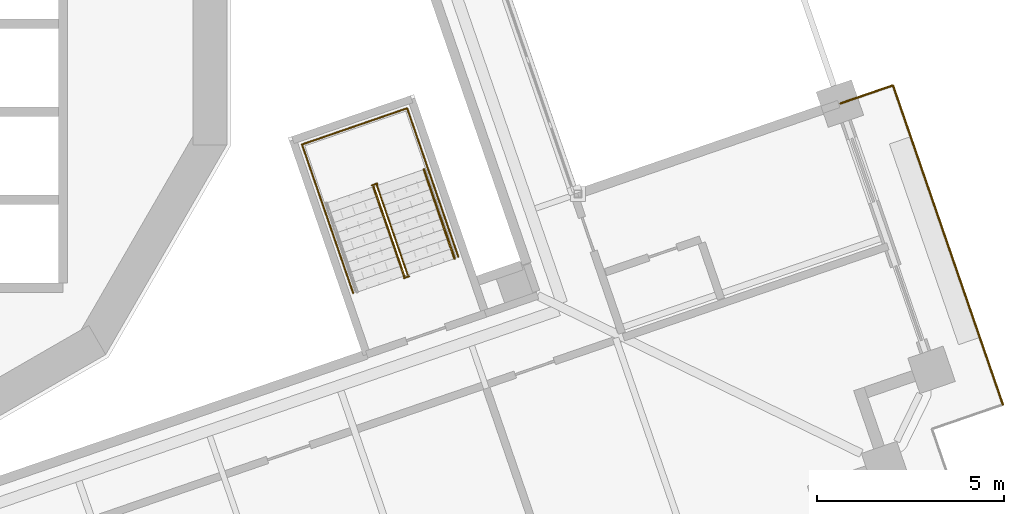
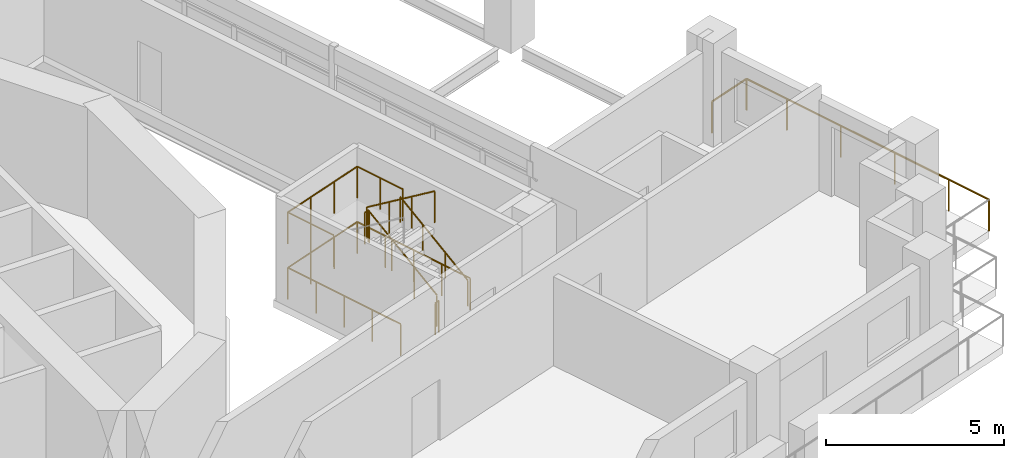
# One storey, part 19 of 22: 7 railings.
"""IFC4 building model written with IfcOpenShell, lengths in metres."""

from ifc_helpers import new_model, si_unit, direction, frame, origin, origin_2d, place, context, subcontext, project, spatial, circle, extrude, material, type_object, element, save


model = new_model("IFC4")

# Units and contexts
model_context = context("Model", 3, precision=1e-05, world=origin(), true_north=direction((0.0, 1.0)))
body_context = subcontext(model_context, "Body", "Model", "MODEL_VIEW")
ifc_project = project(units=[si_unit("LENGTHUNIT", "METRE"), si_unit("AREAUNIT", "SQUARE_METRE"), si_unit("VOLUMEUNIT", "CUBIC_METRE"), si_unit("PLANEANGLEUNIT", "RADIAN"), si_unit("MASSUNIT", "GRAM", prefix="KILO")], contexts=[model_context])

# Site, building, storey
site_placement = place(None, origin())
site = spatial("IfcSite", under=ifc_project, at=site_placement, CompositionType="ELEMENT")
building_placement = place(site_placement, origin())
building = spatial("IfcBuilding", under=site, at=building_placement, Name="Cantera Rosa Tower", CompositionType="ELEMENT")
storey_placement = place(building_placement, frame((0.0, 0.0, 115.5)))
storey = spatial("IfcBuildingStorey", under=building, at=storey_placement, Name="L23", CompositionType="ELEMENT", Elevation=115.5)

# Railings
ifc_material_1 = material(Name="Stainless steel and laminated glass", Category="steel")
railing_type_1 = type_object("IfcRailingType", Name="GUARD 1100", PredefinedType="BALUSTRADE", material=ifc_material_1)
railing_1_placement = place(storey_placement, frame((28.4638671875, -2.129150390625, 0.0)))
element("IfcRailing", 1, at=railing_1_placement, inside=storey, type_object=railing_type_1, Name="GUARD L23-10", PredefinedType="BALUSTRADE", context=body_context, shape_type="SweptSolid", body=[
    extrude(circle(Radius=0.030029296875, at=origin_2d()), frame((0.0, 0.0, 1.070068359375), z_axis=(0.945502624307, 0.325614476689, 0.0), x_axis=(-0.325614476689, 0.945502624307, 0.0)), (0.0, 0.0, 1.0), 1.47998046875),
    extrude(circle(Radius=0.030029296875, at=origin_2d()), frame((1.3994140625, 0.48193359375, 1.070068359375), z_axis=(0.325539181077, -0.945528551438, 0.0), x_axis=(0.945528551438, 0.325539181077, 0.0)), (0.0, 0.0, 1.0), 1.5),
    extrude(circle(Radius=0.030029296875, at=origin_2d()), frame((1.8876953125, -0.936279296875, 1.070068359375), z_axis=(0.325568215952, -0.945518554425, 0.0), x_axis=(0.945518554425, 0.325568215952, 0.0)), (0.0, 0.0, 1.0), 6.02001953125),
    extrude(circle(Radius=0.030029296875, at=origin_2d()), frame((3.84765625, -6.62841796875, 1.070068359375), z_axis=(0.325539181077, -0.945528551438, 0.0), x_axis=(0.945528551438, 0.325539181077, 0.0)), (0.0, 0.0, 1.0), 1.5),
    extrude(circle(Radius=0.02490234375, at=origin_2d()), origin(), (0.0, 0.0, 1.0), 1.0400390625),
    extrude(circle(Radius=0.02490234375, at=origin_2d()), frame((1.3994140625, 0.48193359375, 0.0)), (0.0, 0.0, 1.0), 1.0400390625),
    extrude(circle(Radius=0.02490234375, at=origin_2d()), frame((1.8876953125, -0.936279296875, 0.0)), (0.0, 0.0, 1.0), 1.0400390625),
    extrude(circle(Radius=0.02490234375, at=origin_2d()), frame((2.541015625, -2.833740234375, 0.0)), (0.0, 0.0, 1.0), 1.0400390625),
    extrude(circle(Radius=0.02490234375, at=origin_2d()), frame((3.1943359375, -4.73095703125, 0.0)), (0.0, 0.0, 1.0), 1.0400390625),
    extrude(circle(Radius=0.02490234375, at=origin_2d()), frame((3.84765625, -6.62841796875, 0.0)), (0.0, 0.0, 1.0), 1.0400390625),
    extrude(circle(Radius=0.02490234375, at=origin_2d()), frame((4.3359375, -8.046630859375, 0.0)), (0.0, 0.0, 1.0), 1.0400390625),
])
ifc_material_2 = material(Name="Steel S355J2 (EN 10025-2)", Category="steel")
railing_type_2 = type_object("IfcRailingType", Name="STAIR GUARD 1100", PredefinedType="GUARDRAIL", material=ifc_material_2)
railing_2_placement = place(storey_placement, frame((16.902099609375, -6.707763671875, 0.18994140625)))
element("IfcRailing", 2, at=railing_2_placement, inside=storey, type_object=railing_type_2, Name="L23 ST-23 stair guard 1", PredefinedType="GUARDRAIL", context=body_context, shape_type="SweptSolid", body=[
    extrude(circle(Radius=0.02392578125, at=origin_2d()), frame((0.0, 0.0, 1.076171875), z_axis=(-0.269358070891, 0.782421063063, 0.561483312059), x_axis=(-0.945537585866, -0.325512939397, 0.0)), (0.0, 0.0, 1.0), 3.04541015625),
    extrude(circle(Radius=0.02392578125, at=origin_2d()), frame((-0.8203125, 2.3828125, 2.7861328125), z_axis=(0.147491890402, 0.989063265047, 0.0), x_axis=(-0.989063265047, 0.147491890402, 0.0)), (0.0, 0.0, 1.0), 0.056396484375),
    extrude(circle(Radius=0.02392578125, at=origin_2d()), frame((-0.81201171875, 2.4384765625, 2.7861328125), z_axis=(-0.945545797087, -0.325489086777, 0.0), x_axis=(0.325489086777, -0.945545797087, 0.0)), (0.0, 0.0, 1.0), 0.14990234375),
    extrude(circle(Radius=0.02099609375, at=origin_2d()), origin(), (0.0, 0.0, 1.0), 1.052001953125),
    extrude(circle(Radius=0.02099609375, at=origin_2d()), frame((-0.2734375, 0.794189453125, 0.570068359375)), (0.0, 0.0, 1.0), 1.052001953125),
    extrude(circle(Radius=0.02099609375, at=origin_2d()), frame((-0.546875, 1.588623046875, 1.139892578125)), (0.0, 0.0, 1.0), 1.052001953125),
    extrude(circle(Radius=0.02099609375, at=origin_2d()), frame((-0.8203125, 2.3828125, 1.7099609375)), (0.0, 0.0, 1.0), 1.052001953125),
    extrude(circle(Radius=0.02099609375, at=origin_2d()), frame((-0.81201171875, 2.4384765625, 1.7099609375)), (0.0, 0.0, 1.0), 1.052001953125),
    extrude(circle(Radius=0.02099609375, at=origin_2d()), frame((-0.953857421875, 2.3896484375, 1.7099609375)), (0.0, 0.0, 1.0), 1.052001953125),
])
railing_3_placement = place(storey_placement, frame((15.989013671875, -4.35693359375, 2.090087890625)))
element("IfcRailing", 3, at=railing_3_placement, inside=storey, type_object=railing_type_2, Name="L23 ST-23 stair guard 2", PredefinedType="GUARDRAIL", context=body_context, shape_type="SweptSolid", body=[
    extrude(circle(Radius=0.02392578125, at=origin_2d()), frame((0.0, 0.0, 1.076171875), z_axis=(0.269432418223, -0.782404165978, 0.561471186323), x_axis=(0.94550776501, 0.325599548996, 0.0)), (0.0, 0.0, 1.0), 3.04541015625),
    extrude(circle(Radius=0.02099609375, at=origin_2d()), origin(), (0.0, 0.0, 1.0), 1.052001953125),
    extrude(circle(Radius=0.02099609375, at=origin_2d()), frame((0.2734375, -0.794189453125, 0.570068359375)), (0.0, 0.0, 1.0), 1.052001953125),
    extrude(circle(Radius=0.02099609375, at=origin_2d()), frame((0.547119140625, -1.588623046875, 1.139892578125)), (0.0, 0.0, 1.0), 1.052001953125),
    extrude(circle(Radius=0.02099609375, at=origin_2d()), frame((0.820556640625, -2.3828125, 1.7099609375)), (0.0, 0.0, 1.0), 1.052001953125),
])
railing_4_placement = place(storey_placement, frame((16.94287109375, -6.74658203125, 0.0)))
element("IfcRailing", 4, at=railing_4_placement, inside=storey, type_object=railing_type_2, Name="L23 ST-23 stair guard 3", PredefinedType="GUARDRAIL", context=body_context, shape_type="SweptSolid", body=[
    extrude(circle(Radius=0.02392578125, at=origin_2d()), frame((0.0, 0.0, 1.076171875), z_axis=(-0.945372981626, -0.325990683319, 0.0), x_axis=(0.325990683319, -0.945372981626, 0.0)), (0.0, 0.0, 1.0), 0.14990234375),
    extrude(circle(Radius=0.02099609375, at=origin_2d()), origin(), (0.0, 0.0, 1.0), 1.052001953125),
    extrude(circle(Radius=0.02099609375, at=origin_2d()), frame((-0.1416015625, -0.048828125, 0.0)), (0.0, 0.0, 1.0), 1.052001953125),
])
railing_5_placement = place(storey_placement, frame((18.256103515625, -6.22900390625, 0.0)))
element("IfcRailing", 5, at=railing_5_placement, inside=storey, type_object=railing_type_2, Name="L23 ST-23 stair guard 4", PredefinedType="GUARDRAIL", context=body_context, shape_type="SweptSolid", body=[
    extrude(circle(Radius=0.02392578125, at=origin_2d()), frame((0.0, 0.0, 1.076171875), z_axis=(-0.3255981694, 0.945508240093, 0.0), x_axis=(-0.945508240093, -0.3255981694, 0.0)), (0.0, 0.0, 1.0), 4.1982421875),
    extrude(circle(Radius=0.02392578125, at=origin_2d()), frame((-1.366943359375, 3.969482421875, 1.076171875), z_axis=(-0.945504814226, -0.325608117645, 0.0), x_axis=(0.325608117645, -0.945504814226, 0.0)), (0.0, 0.0, 1.0), 2.969970703125),
    extrude(circle(Radius=0.02392578125, at=origin_2d()), frame((-4.175048828125, 3.00244140625, 1.076171875), z_axis=(0.325564081496, -0.945519978022, 0.0), x_axis=(0.945519978022, 0.325564081496, 0.0)), (0.0, 0.0, 1.0), 4.197998046875),
    extrude(circle(Radius=0.02099609375, at=origin_2d()), origin(), (0.0, 0.0, 1.0), 1.052001953125),
    extrude(circle(Radius=0.02099609375, at=origin_2d()), frame((-0.341796875, 0.992431640625, 0.0)), (0.0, 0.0, 1.0), 1.052001953125),
    extrude(circle(Radius=0.02099609375, at=origin_2d()), frame((-0.68359375, 1.98486328125, 0.0)), (0.0, 0.0, 1.0), 1.052001953125),
    extrude(circle(Radius=0.02099609375, at=origin_2d()), frame((-1.025146484375, 2.97705078125, 0.0)), (0.0, 0.0, 1.0), 1.052001953125),
    extrude(circle(Radius=0.02099609375, at=origin_2d()), frame((-1.366943359375, 3.969482421875, 0.0)), (0.0, 0.0, 1.0), 1.052001953125),
    extrude(circle(Radius=0.02099609375, at=origin_2d()), frame((-2.302978515625, 3.647216796875, 0.0)), (0.0, 0.0, 1.0), 1.052001953125),
    extrude(circle(Radius=0.02099609375, at=origin_2d()), frame((-3.239013671875, 3.32470703125, 0.0)), (0.0, 0.0, 1.0), 1.052001953125),
    extrude(circle(Radius=0.02099609375, at=origin_2d()), frame((-4.175048828125, 3.00244140625, 0.0)), (0.0, 0.0, 1.0), 1.052001953125),
    extrude(circle(Radius=0.02099609375, at=origin_2d()), frame((-3.83349609375, 2.01025390625, 0.0)), (0.0, 0.0, 1.0), 1.052001953125),
    extrude(circle(Radius=0.02099609375, at=origin_2d()), frame((-3.49169921875, 1.017822265625, 0.0)), (0.0, 0.0, 1.0), 1.052001953125),
    extrude(circle(Radius=0.02099609375, at=origin_2d()), frame((-3.14990234375, 0.025390625, 0.0)), (0.0, 0.0, 1.0), 1.052001953125),
    extrude(circle(Radius=0.02099609375, at=origin_2d()), frame((-2.808349609375, -0.966796875, 0.0)), (0.0, 0.0, 1.0), 1.052001953125),
])
railing_6_placement = place(storey_placement, frame((17.443359375, -3.868896484375, 1.89990234375)))
element("IfcRailing", 6, at=railing_6_placement, inside=storey, type_object=railing_type_2, Name="L23 ST-23 stair guard 5", PredefinedType="GUARDRAIL", context=body_context, shape_type="SweptSolid", body=[
    extrude(circle(Radius=0.02392578125, at=origin_2d()), frame((0.0, 0.0, 1.076171875), z_axis=(-0.32559282233, 0.94551008141, 0.0), x_axis=(-0.94551008141, -0.32559282233, 0.0)), (0.0, 0.0, 1.0), 1.7021484375),
    extrude(circle(Radius=0.02392578125, at=origin_2d()), frame((-0.55419921875, 1.609375, 1.076171875), z_axis=(-0.945504814226, -0.325608117645, 0.0), x_axis=(0.325608117645, -0.945504814226, 0.0)), (0.0, 0.0, 1.0), 2.969970703125),
    extrude(circle(Radius=0.02392578125, at=origin_2d()), frame((-3.3623046875, 0.642333984375, 1.076171875), z_axis=(0.32559282233, -0.94551008141, 0.0), x_axis=(0.94551008141, 0.32559282233, 0.0)), (0.0, 0.0, 1.0), 1.7021484375),
    extrude(circle(Radius=0.02099609375, at=origin_2d()), origin(), (0.0, 0.0, 1.0), 1.052001953125),
    extrude(circle(Radius=0.02099609375, at=origin_2d()), frame((-0.277099609375, 0.8046875, 0.0)), (0.0, 0.0, 1.0), 1.052001953125),
    extrude(circle(Radius=0.02099609375, at=origin_2d()), frame((-0.55419921875, 1.609375, 0.0)), (0.0, 0.0, 1.0), 1.052001953125),
    extrude(circle(Radius=0.02099609375, at=origin_2d()), frame((-1.490234375, 1.287109375, 0.0)), (0.0, 0.0, 1.0), 1.052001953125),
    extrude(circle(Radius=0.02099609375, at=origin_2d()), frame((-2.42626953125, 0.964599609375, 0.0)), (0.0, 0.0, 1.0), 1.052001953125),
    extrude(circle(Radius=0.02099609375, at=origin_2d()), frame((-3.3623046875, 0.642333984375, 0.0)), (0.0, 0.0, 1.0), 1.052001953125),
    extrude(circle(Radius=0.02099609375, at=origin_2d()), frame((-3.085205078125, -0.162353515625, 0.0)), (0.0, 0.0, 1.0), 1.052001953125),
    extrude(circle(Radius=0.02099609375, at=origin_2d()), frame((-2.80810546875, -0.967041015625, 0.0)), (0.0, 0.0, 1.0), 1.052001953125),
])
ifc_material_3 = material(Name="Steel S355J2 (EN 10025-2)", Category="steel")
railing_type_3 = type_object("IfcRailingType", Name="STAIR HANDRAIL 900", PredefinedType="HANDRAIL", material=ifc_material_3)
railing_7_placement = place(storey_placement, frame((18.15576171875, -6.276123046875, 0.18994140625)))
element("IfcRailing", 7, at=railing_7_placement, inside=storey, type_object=railing_type_3, Name="L23 ST-23 stair handrail 1", PredefinedType="HANDRAIL", context=body_context, shape_type="SweptSolid", body=[
    extrude(circle(Radius=0.02392578125, at=origin_2d()), frame((0.0, 0.0, 0.8759765625), z_axis=(-0.269358070891, 0.782421063063, 0.561483312059), x_axis=(-0.945537585866, -0.325512939397, 0.0)), (0.0, 0.0, 1.0), 3.04541015625),
    extrude(circle(Radius=0.02099609375, at=origin_2d()), origin(), (0.0, 0.0, 1.0), 0.851806640625),
    extrude(circle(Radius=0.02099609375, at=origin_2d()), frame((-0.2734375, 0.794189453125, 0.570068359375)), (0.0, 0.0, 1.0), 0.851806640625),
    extrude(circle(Radius=0.02099609375, at=origin_2d()), frame((-0.546875, 1.588623046875, 1.139892578125)), (0.0, 0.0, 1.0), 0.851806640625),
    extrude(circle(Radius=0.02099609375, at=origin_2d()), frame((-0.8203125, 2.3828125, 1.7099609375)), (0.0, 0.0, 1.0), 0.851806640625),
])

save(model, "model.ifc")
